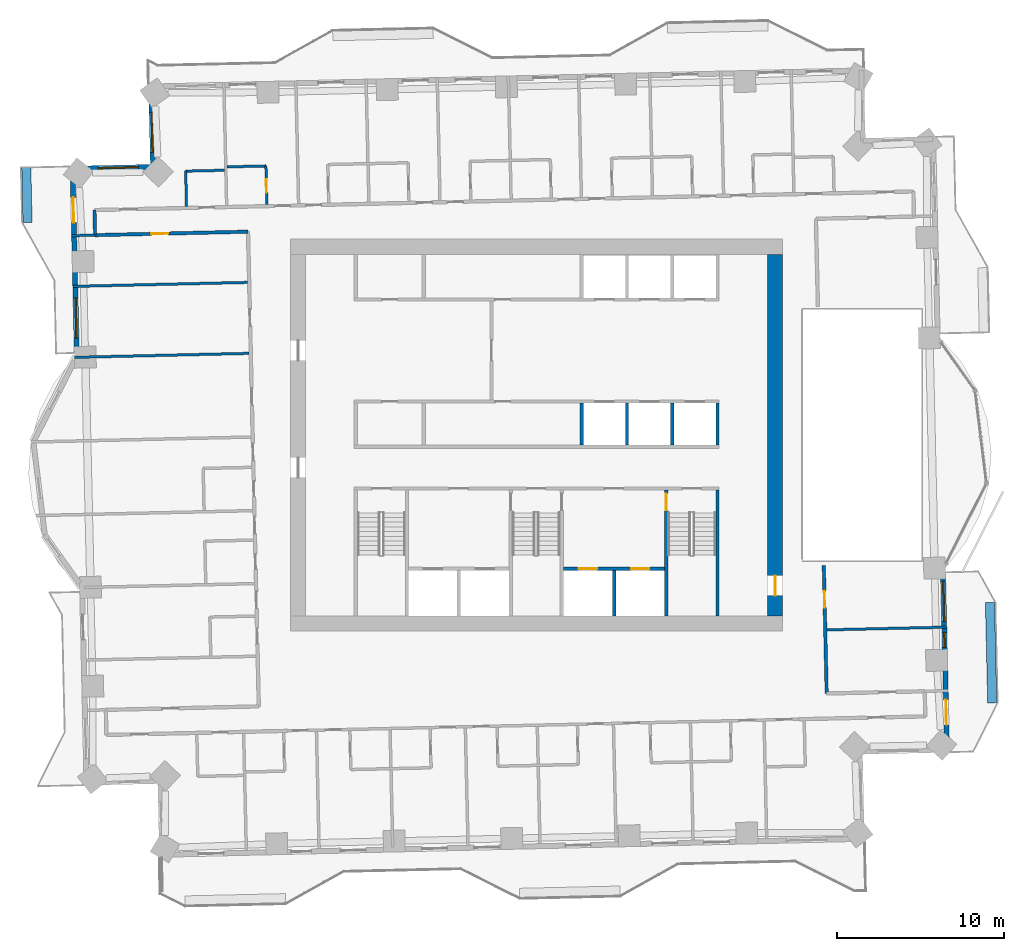
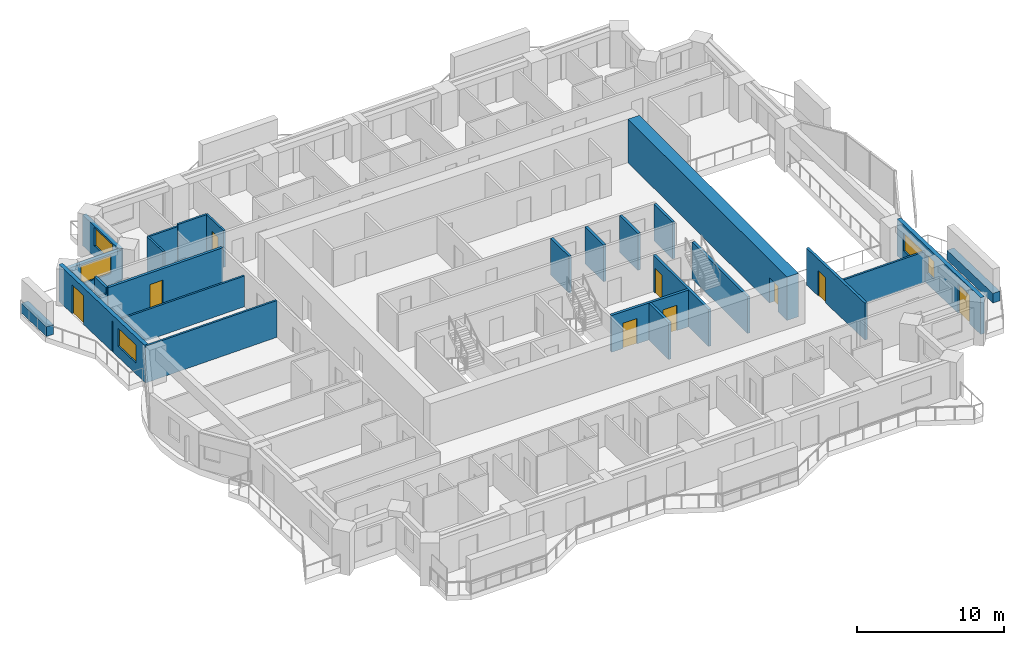
# One storey, part 9 of 16: 26 walls, 9 doors, 5 windows, 14 openings.
"""IFC4 building model written with IfcOpenShell, lengths in metres."""

from ifc_helpers import new_model, si_unit, direction, frame, frame_2d, origin, place, context, subcontext, project, spatial, rectangle, extrude, material, layer, layer_set, type_object, element, fill, save


model = new_model("IFC4")

# Units and contexts
model_context = context("Model", 3, precision=1e-05, world=origin(), true_north=direction((0.0, 1.0)))
body_context = subcontext(model_context, "Body", "Model", "MODEL_VIEW")
ifc_project = project(units=[si_unit("LENGTHUNIT", "METRE"), si_unit("AREAUNIT", "SQUARE_METRE"), si_unit("VOLUMEUNIT", "CUBIC_METRE"), si_unit("PLANEANGLEUNIT", "RADIAN"), si_unit("MASSUNIT", "GRAM", prefix="KILO")], contexts=[model_context])

# Site, building, storey
site_placement = place(None, origin())
site = spatial("IfcSite", under=ifc_project, at=site_placement, CompositionType="ELEMENT")
building_placement = place(site_placement, origin())
building = spatial("IfcBuilding", under=site, at=building_placement, Name="Mangrove Gate Tower", CompositionType="ELEMENT")
storey_placement = place(building_placement, frame((0.0, 0.0, 144.5)))
storey = spatial("IfcBuildingStorey", under=building, at=storey_placement, Name="L36", CompositionType="ELEMENT", Elevation=144.5)

# Wall, openings, doors
ifc_material_1 = material(Name="Concrete C70/85", Category="concrete")
ifc_layer_1 = layer(ifc_material_1, 0.199951171875)
ifc_layer_set_1 = layer_set([ifc_layer_1], Name="Core shaft wall 200 C70/85")
wall_type_1 = type_object("IfcWallType", Name="Core shaft wall 200 C70/85", PredefinedType="SHEAR", material=ifc_layer_set_1)
wall_1_placement = place(storey_placement, frame((1.60009765625, -8.0, 0.0), z_axis=(0.0, 0.0, 1.0), x_axis=(1.0, 0.0, 0.0)))
wall_1 = element("IfcWall", 1, at=wall_1_placement, inside=storey, type_object=wall_type_1, Name="WALL-L36-CORE-17", PredefinedType="SHEAR", context=body_context, shape_type="SweptSolid", body=[
    extrude(rectangle(XDim=6.0498046875, YDim=0.199951171875, at=frame_2d((3.02490234375, 0.0))), origin(), (0.0, 0.0, 1.0), 3.050048828125),
])
opening_1_placement = place(wall_1_placement, frame((0.91259765625, 0.0, 0.0)))
opening_1 = element("IfcOpeningElement", 2, at=opening_1_placement, cuts=wall_1, Name="Opening LD", PredefinedType="OPENING", context=body_context, shape_type="SweptSolid", body=[
    extrude(rectangle(XDim=1.10009765625, YDim=2.10009765625, at=frame_2d((0.550048828125, 1.050048828125))), frame((0.0, 0.10986328125, 0.0), z_axis=(0.0, -1.0, 0.0), x_axis=(1.0, 0.0, 0.0)), (0.0, 0.0, 1.0), 0.219970703125),
])
opening_2_placement = place(wall_1_placement, frame((4.03759765625, 0.0, 0.0)))
opening_2 = element("IfcOpeningElement", 3, at=opening_2_placement, cuts=wall_1, Name="Opening LD", PredefinedType="OPENING", context=body_context, shape_type="SweptSolid", body=[
    extrude(rectangle(XDim=1.10009765625, YDim=2.10009765625, at=frame_2d((0.550048828125, 1.050048828125))), frame((0.0, 0.10986328125, 0.0), z_axis=(0.0, -1.0, 0.0), x_axis=(1.0, 0.0, 0.0)), (0.0, 0.0, 1.0), 0.219970703125),
])
ifc_material_2 = material(Name="Stainless steel 316", Category="steel")
door_type_1 = type_object("IfcDoorType", Name="Lift landing door 1100x2100", OperationType="SLIDING_TO_LEFT", PredefinedType="DOOR", material=ifc_material_2)
door_1_placement = place(opening_1_placement, origin())
door_1 = element("IfcDoor", 4, at=door_1_placement, inside=storey, type_object=door_type_1, Name="Landing door LD FFL1", OperationType="SLIDING_TO_LEFT", OverallHeight=2.10009765625, OverallWidth=1.10009765625, PredefinedType="DOOR", context=body_context, shape_type="SweptSolid", body=[
    extrude(rectangle(XDim=1.10009765625, YDim=2.10009765625, at=frame_2d((0.550048828125, 1.050048828125))), frame((0.0, 0.02490234375, 0.0), z_axis=(0.0, -1.0, 0.0), x_axis=(1.0, 0.0, 0.0)), (0.0, 0.0, 1.0), 0.050048828125),
])
fill(opening_1, door_1)
door_2_placement = place(opening_2_placement, origin())
door_2 = element("IfcDoor", 5, at=door_2_placement, inside=storey, type_object=door_type_1, Name="Landing door LD FFL2", OperationType="SLIDING_TO_LEFT", OverallHeight=2.10009765625, OverallWidth=1.10009765625, PredefinedType="DOOR", context=body_context, shape_type="SweptSolid", body=[
    extrude(rectangle(XDim=1.10009765625, YDim=2.10009765625, at=frame_2d((0.550048828125, 1.050048828125))), frame((0.0, 0.02490234375, 0.0), z_axis=(0.0, -1.0, 0.0), x_axis=(1.0, 0.0, 0.0)), (0.0, 0.0, 1.0), 0.050048828125),
])
fill(opening_2, door_2)

# Walls
wall_2_placement = place(storey_placement, frame((4.625, -10.800048828125, 0.0), z_axis=(0.0, 0.0, 1.0), x_axis=(0.0, 1.0, 0.0)))
element("IfcWall", 6, at=wall_2_placement, inside=storey, type_object=wall_type_1, Name="WALL-L36-CORE-18", PredefinedType="SHEAR", context=body_context, shape_type="SweptSolid", body=[
    extrude(rectangle(XDim=2.699951171875, YDim=0.199951171875, at=frame_2d((1.35009765625, 0.0))), origin(), (0.0, 0.0, 1.0), 3.050048828125),
])
for number, where, z_axis, x_axis, name in (
    (7, (2.699951171875, -0.60009765625, 0.0), (0.0, 0.0, 1.0), (0.0, 1.0, 0.0), "WALL-L36-CORE-21"),
    (8, (5.39990234375, -0.60009765625, 0.0), (0.0, 0.0, 1.0), (0.0, 1.0, 0.0), "WALL-L36-CORE-22"),
    (9, (8.10009765625, -0.60009765625, 0.0), (0.0, 0.0, 1.0), (0.0, 1.0, 0.0), "WALL-L36-CORE-23"),
    (10, (10.800048828125, -0.60009765625, 0.0), (0.0, 0.0, 1.0), (0.0, 1.0, 0.0), "WALL-L36-CORE-24"),
):
    element("IfcWall", number, at=place(storey_placement, frame(where, z_axis=z_axis, x_axis=x_axis)), inside=storey, type_object=wall_type_1, Name=name, PredefinedType="SHEAR", context=body_context, shape_type="SweptSolid", body=[
        extrude(rectangle(XDim=2.5, YDim=0.199951171875, at=frame_2d((1.25, 0.0))), origin(), (0.0, 0.0, 1.0), 3.050048828125),
    ])

# Wall, opening, door
ifc_material_3 = material(Name="Concrete C70/85", Category="concrete")
ifc_layer_2 = layer(ifc_material_3, 0.199951171875)
ifc_layer_set_2 = layer_set([ifc_layer_2], Name="Core stair wall 200 C70/85")
wall_type_2 = type_object("IfcWallType", Name="Core stair wall 200 C70/85", PredefinedType="SHEAR", material=ifc_layer_set_2)
wall_3_placement = place(storey_placement, frame((7.75, -10.800048828125, 0.0), z_axis=(0.0, 0.0, 1.0), x_axis=(0.0, 1.0, 0.0)))
wall_3 = element("IfcWall", 11, at=wall_3_placement, inside=storey, type_object=wall_type_2, Name="WALL-L36-CORE-13", PredefinedType="SHEAR", context=body_context, shape_type="SweptSolid", body=[
    extrude(rectangle(XDim=7.5, YDim=0.199951171875, at=frame_2d((3.75, 0.0))), origin(), (0.0, 0.0, 1.0), 3.050048828125),
])
opening_3_placement = place(wall_3_placement, frame((6.300048828125, 0.0, 0.0)))
opening_3 = element("IfcOpeningElement", 12, at=opening_3_placement, cuts=wall_3, Name="Opening STD10", PredefinedType="OPENING", context=body_context, shape_type="SweptSolid", body=[
    extrude(rectangle(XDim=1.0, YDim=2.10009765625, at=frame_2d((0.5, 1.050048828125))), frame((0.0, 0.10986328125, 0.0), z_axis=(0.0, -1.0, 0.0), x_axis=(1.0, 0.0, 0.0)), (0.0, 0.0, 1.0), 0.219970703125),
])
ifc_material_4 = material(Name="Fire-rated steel door set", Category="steel")
door_type_2 = type_object("IfcDoorType", Name="Stair door FD60 1000x2100", OperationType="SINGLE_SWING_RIGHT", PredefinedType="DOOR", material=ifc_material_4)
door_3_placement = place(opening_3_placement, origin())
door_3 = element("IfcDoor", 13, at=door_3_placement, inside=storey, type_object=door_type_2, Name="Stair door Stair 3 from fire-fighting lobby", OperationType="SINGLE_SWING_RIGHT", OverallHeight=2.10009765625, OverallWidth=1.0, PredefinedType="DOOR", context=body_context, shape_type="SweptSolid", body=[
    extrude(rectangle(XDim=1.0, YDim=2.10009765625, at=frame_2d((0.5, 1.050048828125))), frame((0.0, 0.02490234375, 0.0), z_axis=(0.0, -1.0, 0.0), x_axis=(1.0, 0.0, 0.0)), (0.0, 0.0, 1.0), 0.050048828125),
])
fill(opening_3, door_3)

# Wall
wall_4_placement = place(storey_placement, frame((10.800048828125, -10.800048828125, 0.0), z_axis=(0.0, 0.0, 1.0), x_axis=(0.0, 1.0, 0.0)))
element("IfcWall", 14, at=wall_4_placement, inside=storey, type_object=wall_type_2, Name="WALL-L36-CORE-14", PredefinedType="SHEAR", context=body_context, shape_type="SweptSolid", body=[
    extrude(rectangle(XDim=7.5, YDim=0.199951171875, at=frame_2d((3.75, 0.0))), origin(), (0.0, 0.0, 1.0), 3.050048828125),
])

# Wall, opening, door
ifc_material_5 = material(Name="Concrete C70/85", Category="concrete")
ifc_layer_3 = layer(ifc_material_5, 0.89990234375)
ifc_layer_set_3 = layer_set([ifc_layer_3], Name="Core wall 900 C70/85")
wall_type_3 = type_object("IfcWallType", Name="Core wall 900 C70/85", PredefinedType="SHEAR", material=ifc_layer_set_3)
wall_5_placement = place(storey_placement, frame((14.25, -10.800048828125, 0.0), z_axis=(0.0, 0.0, 1.0), x_axis=(0.0, 1.0, 0.0)))
wall_5 = element("IfcWall", 15, at=wall_5_placement, inside=storey, type_object=wall_type_3, Name="WALL-L36-CORE-4", PredefinedType="SHEAR", context=body_context, shape_type="SweptSolid", body=[
    extrude(rectangle(XDim=21.60009765625, YDim=0.89990234375, at=frame_2d((10.800048828125, 0.0))), origin(), (0.0, 0.0, 1.0), 3.60009765625),
])
opening_4_placement = place(wall_5_placement, frame((1.199951171875, 0.0, 0.0)))
opening_4 = element("IfcOpeningElement", 16, at=opening_4_placement, cuts=wall_5, Name="Opening CD", PredefinedType="OPENING", context=body_context, shape_type="SweptSolid", body=[
    extrude(rectangle(XDim=1.199951171875, YDim=2.10009765625, at=frame_2d((0.60009765625, 1.050048828125))), frame((0.0, 0.4599609375, 0.0), z_axis=(0.0, -1.0, 0.0), x_axis=(1.0, 0.0, 0.0)), (0.0, 0.0, 1.0), 0.919921875),
])
ifc_material_6 = material(Name="Fire-rated steel door set", Category="steel")
door_type_3 = type_object("IfcDoorType", Name="Core ring door FD60 1200x2100", OperationType="DOUBLE_DOOR_SINGLE_SWING", PredefinedType="DOOR", material=ifc_material_6)
door_4_placement = place(opening_4_placement, origin())
door_4 = element("IfcDoor", 17, at=door_4_placement, inside=storey, type_object=door_type_3, Name="Core ring door E1", OperationType="DOUBLE_DOOR_SINGLE_SWING", OverallHeight=2.10009765625, OverallWidth=1.199951171875, PredefinedType="DOOR", context=body_context, shape_type="SweptSolid", body=[
    extrude(rectangle(XDim=1.199951171875, YDim=2.10009765625, at=frame_2d((0.60009765625, 1.050048828125))), frame((0.0, 0.02490234375, 0.0), z_axis=(0.0, -1.0, 0.0), x_axis=(1.0, 0.0, 0.0)), (0.0, 0.0, 1.0), 0.050048828125),
])
fill(opening_4, door_4)

ifc_material_7 = material(Name="Gypsum board on steel stud, EI 60", Category="steel")
ifc_layer_4 = layer(ifc_material_7, 0.199951171875)
ifc_layer_set_4 = layer_set([ifc_layer_4], Name="Corridor wall EI 60")
wall_type_4 = type_object("IfcWallType", Name="Corridor wall EI 60", PredefinedType="PARTITIONING", material=ifc_layer_set_4)
wall_6_placement = place(storey_placement, frame((17.327880859375, -15.447998046875, 0.0), z_axis=(0.0, 0.0, 1.0), x_axis=(-0.022680883318, 0.999742755679, 0.0)))
wall_6 = element("IfcWall", 18, at=wall_6_placement, inside=storey, type_object=wall_type_4, Name="WALL-L36-030", PredefinedType="PARTITIONING", context=body_context, shape_type="SweptSolid", body=[
    extrude(rectangle(XDim=7.6640625, YDim=0.199951171875, at=frame_2d((3.83203125, 0.0))), origin(), (0.0, 0.0, 1.0), 3.050048828125),
])
opening_5_placement = place(wall_6_placement, frame((5.1298828125, 0.0, 0.0)))
opening_5 = element("IfcOpeningElement", 19, at=opening_5_placement, cuts=wall_6, Name="Opening AD", PredefinedType="OPENING", context=body_context, shape_type="SweptSolid", body=[
    extrude(rectangle(XDim=1.0, YDim=2.10009765625, at=frame_2d((0.5, 1.050048828125))), frame((0.0, 0.10986328125, 0.0), z_axis=(0.0, -1.0, 0.0), x_axis=(1.0, 0.0, 0.0)), (0.0, 0.0, 1.0), 0.219970703125),
])
ifc_material_8 = material(Name="Timber door leaf", Category="wood")
door_type_4 = type_object("IfcDoorType", Name="Amenity door 1000", OperationType="SINGLE_SWING_LEFT", PredefinedType="DOOR", material=ifc_material_8)
door_5_placement = place(opening_5_placement, origin())
door_5 = element("IfcDoor", 20, at=door_5_placement, inside=storey, type_object=door_type_4, Name="DOOR-L36-KIT-c3b", OperationType="SINGLE_SWING_RIGHT", OverallHeight=2.10009765625, OverallWidth=1.0, PredefinedType="DOOR", context=body_context, shape_type="SweptSolid", body=[
    extrude(rectangle(XDim=1.0, YDim=2.10009765625, at=frame_2d((0.5, 1.050048828125))), frame((0.0, 0.02490234375, 0.0), z_axis=(0.0, -1.0, 0.0), x_axis=(1.0, 0.0, 0.0)), (0.0, 0.0, 1.0), 0.050048828125),
])
fill(opening_5, door_5)

wall_7_placement = place(storey_placement, frame((-26.386962890625, 11.94091796875, 0.0), z_axis=(0.0, 0.0, 1.0), x_axis=(0.999741076645, 0.022754772455, 0.0)))
wall_7 = element("IfcWall", 21, at=wall_7_placement, inside=storey, type_object=wall_type_4, Name="WALL-L36-050", PredefinedType="PARTITIONING", context=body_context, shape_type="SweptSolid", body=[
    extrude(rectangle(XDim=9.141357421875, YDim=0.199951171875, at=frame_2d((4.57080078125, 0.0))), origin(), (0.0, 0.0, 1.0), 3.050048828125),
])
opening_6_placement = place(wall_7_placement, frame((3.37109375, 0.0, 0.0)))
opening_6 = element("IfcOpeningElement", 22, at=opening_6_placement, cuts=wall_7, Name="Opening AD", PredefinedType="OPENING", context=body_context, shape_type="SweptSolid", body=[
    extrude(rectangle(XDim=1.0, YDim=2.10009765625, at=frame_2d((0.5, 1.050048828125))), frame((0.0, 0.10986328125, 0.0), z_axis=(0.0, -1.0, 0.0), x_axis=(1.0, 0.0, 0.0)), (0.0, 0.0, 1.0), 0.219970703125),
])
door_6_placement = place(opening_6_placement, origin())
door_6 = element("IfcDoor", 23, at=door_6_placement, inside=storey, type_object=door_type_4, Name="DOOR-L36-STU-c5a", OperationType="SINGLE_SWING_RIGHT", OverallHeight=2.10009765625, OverallWidth=1.0, PredefinedType="DOOR", context=body_context, shape_type="SweptSolid", body=[
    extrude(rectangle(XDim=1.0, YDim=2.10009765625, at=frame_2d((0.5, 1.050048828125))), frame((0.0, 0.02490234375, 0.0), z_axis=(0.0, -1.0, 0.0), x_axis=(1.0, 0.0, 0.0)), (0.0, 0.0, 1.0), 0.050048828125),
])
fill(opening_6, door_6)

# Wall
wall_8_placement = place(storey_placement, frame((-26.385009765625, 11.94091796875, 0.0), z_axis=(0.0, 0.0, 1.0), x_axis=(-0.022617910375, 0.999744182344, 0.0)))
element("IfcWall", 24, at=wall_8_placement, inside=storey, type_object=wall_type_4, Name="WALL-L36-051", PredefinedType="PARTITIONING", context=body_context, shape_type="SweptSolid", body=[
    extrude(rectangle(XDim=1.50048828125, YDim=0.199951171875, at=frame_2d((0.750244140625, 0.0))), origin(), (0.0, 0.0, 1.0), 3.050048828125),
])

# Wall, openings, door, windows
ifc_material_9 = material(Name="Limestone", Category="masonry")
ifc_layer_5 = layer(ifc_material_9, 0.0400390625, Name="Limestone cladding")
ifc_material_10 = material(Name="Ventilated air gap")
ifc_layer_6 = layer(ifc_material_10, 0.0400390625, Name="Ventilated cavity")
ifc_material_11 = material(Name="Mineral wool insulation")
ifc_layer_7 = layer(ifc_material_11, 0.06005859375, Name="Insulation")
ifc_material_12 = material(Name="Breather membrane")
ifc_layer_8 = layer(ifc_material_12, 0.001953125, Name="Breather membrane")
ifc_material_13 = material(Name="Concrete C20/25 blockwork", Category="masonry")
ifc_layer_9 = layer(ifc_material_13, 0.14990234375, Name="Blockwork backing wall")
ifc_material_14 = material(Name="Gypsum plaster")
ifc_layer_10 = layer(ifc_material_14, 0.008056640625, Name="Internal plaster")
ifc_layer_set_5 = layer_set([ifc_layer_5, ifc_layer_6, ifc_layer_7, ifc_layer_8, ifc_layer_9, ifc_layer_10], Name="External wall 300 limestone cladding")
wall_type_5 = type_object("IfcWallType", Name="External wall 300 limestone cladding", PredefinedType="SOLIDWALL", material=ifc_layer_set_5)
wall_9_placement = place(storey_placement, frame((24.51806640625, -18.81201171875, 0.0), z_axis=(0.0, 0.0, 1.0), x_axis=(-0.02269451316, 0.999742446369, 0.0)))
wall_9 = element("IfcWall", 25, at=wall_9_placement, inside=storey, type_object=wall_type_5, Name="WALL-L36-E0", PredefinedType="SOLIDWALL", context=body_context, shape_type="SweptSolid", body=[
    extrude(rectangle(XDim=10.929931640625, YDim=0.300048828125, at=frame_2d((5.46484375, 0.0))), origin(), (0.0, 0.0, 1.0), 3.050048828125),
])
opening_7_placement = place(wall_9_placement, frame((1.49609375, 0.0, 0.0)))
opening_7 = element("IfcOpeningElement", 26, at=opening_7_placement, cuts=wall_9, Name="Opening BD1", PredefinedType="OPENING", context=body_context, shape_type="SweptSolid", body=[
    extrude(rectangle(XDim=1.5, YDim=2.39990234375, at=frame_2d((0.75, 1.199951171875))), frame((0.0, 0.159912109375, 0.0), z_axis=(0.0, -1.0, 0.0), x_axis=(1.0, 0.0, 0.0)), (0.0, 0.0, 1.0), 0.320068359375),
])
opening_8_placement = place(wall_9_placement, frame((6.118896484375, 0.0, 0.89990234375)))
opening_8 = element("IfcOpeningElement", 27, at=opening_8_placement, cuts=wall_9, Name="Opening W5", PredefinedType="OPENING", context=body_context, shape_type="SweptSolid", body=[
    extrude(rectangle(XDim=0.89990234375, YDim=1.5, at=frame_2d((0.449951171875, 0.75))), frame((0.0, 0.159912109375, 0.0), z_axis=(0.0, -1.0, 0.0), x_axis=(1.0, 0.0, 0.0)), (0.0, 0.0, 1.0), 0.320068359375),
])
opening_9_placement = place(wall_9_placement, frame((7.675048828125, 0.0, 0.89990234375)))
opening_9 = element("IfcOpeningElement", 28, at=opening_9_placement, cuts=wall_9, Name="Opening W2", PredefinedType="OPENING", context=body_context, shape_type="SweptSolid", body=[
    extrude(rectangle(XDim=2.39990234375, YDim=1.5, at=frame_2d((1.199951171875, 0.75))), frame((0.0, 0.159912109375, 0.0), z_axis=(0.0, -1.0, 0.0), x_axis=(1.0, 0.0, 0.0)), (0.0, 0.0, 1.0), 0.320068359375),
])
ifc_material_15 = material(Name="Aluminium frame with laminated clear glass", Category="aluminium")
door_type_5 = type_object("IfcDoorType", Name="Balcony sliding door 1500x2400", OperationType="SLIDING_TO_LEFT", PredefinedType="DOOR", material=ifc_material_15)
door_7_placement = place(opening_7_placement, origin())
door_7 = element("IfcDoor", 29, at=door_7_placement, inside=storey, type_object=door_type_5, Name="DOOR-L36-E0-1", OperationType="SLIDING_TO_LEFT", OverallHeight=2.39990234375, OverallWidth=1.5, PredefinedType="DOOR", context=body_context, shape_type="SweptSolid", body=[
    extrude(rectangle(XDim=1.5, YDim=2.39990234375, at=frame_2d((0.75, 1.199951171875))), frame((0.0, 0.02490234375, 0.0), z_axis=(0.0, -1.0, 0.0), x_axis=(1.0, 0.0, 0.0)), (0.0, 0.0, 1.0), 0.050048828125),
])
fill(opening_7, door_7)
ifc_material_16 = material(Name="Aluminium frame with double-glazed low-e glass", Category="aluminium")
window_type_1 = type_object("IfcWindowType", Name="Corner room window 2400x1500", PartitioningType="DOUBLE_PANEL_VERTICAL", PredefinedType="WINDOW", material=ifc_material_16)
window_1_placement = place(opening_9_placement, origin())
window_1 = element("IfcWindow", 30, at=window_1_placement, inside=storey, type_object=window_type_1, Name="WIN-L36-E0-3", OverallHeight=1.5, OverallWidth=2.39990234375, PartitioningType="DOUBLE_PANEL_VERTICAL", PredefinedType="WINDOW", context=body_context, shape_type="SweptSolid", body=[
    extrude(rectangle(XDim=2.39990234375, YDim=1.5, at=frame_2d((1.199951171875, 0.75))), frame((0.0, 0.030029296875, 0.0), z_axis=(0.0, -1.0, 0.0), x_axis=(1.0, 0.0, 0.0)), (0.0, 0.0, 1.0), 0.06005859375),
])
fill(opening_9, window_1)
ifc_material_17 = material(Name="Aluminium frame with double-glazed low-e glass", Category="aluminium")
window_type_2 = type_object("IfcWindowType", Name="Narrow window 900x1500", PartitioningType="SINGLE_PANEL", PredefinedType="WINDOW", material=ifc_material_17)
window_2_placement = place(opening_8_placement, origin())
window_2 = element("IfcWindow", 31, at=window_2_placement, inside=storey, type_object=window_type_2, Name="WIN-L36-E0-2", OverallHeight=1.5, OverallWidth=0.89990234375, PartitioningType="SINGLE_PANEL", PredefinedType="WINDOW", context=body_context, shape_type="SweptSolid", body=[
    extrude(rectangle(XDim=0.89990234375, YDim=1.5, at=frame_2d((0.449951171875, 0.75))), frame((0.0, 0.030029296875, 0.0), z_axis=(0.0, -1.0, 0.0), x_axis=(1.0, 0.0, 0.0)), (0.0, 0.0, 1.0), 0.06005859375),
])
fill(opening_8, window_2)

# Wall, opening, window
wall_10_placement = place(storey_placement, frame((-23.037109375, 20.819091796875, 0.0), z_axis=(0.0, 0.0, 1.0), x_axis=(0.022738738327, -0.999741441463, 0.0)))
wall_10 = element("IfcWall", 32, at=wall_10_placement, inside=storey, type_object=wall_type_5, Name="WALL-L36-W6", PredefinedType="SOLIDWALL", context=body_context, shape_type="SweptSolid", body=[
    extrude(rectangle(XDim=4.79931640625, YDim=0.300048828125, at=frame_2d((2.399658203125, 0.0))), origin(), (0.0, 0.0, 1.0), 2.550048828125),
])
opening_10_placement = place(wall_10_placement, frame((1.541015625, 0.0, 0.89990234375)))
opening_10 = element("IfcOpeningElement", 33, at=opening_10_placement, cuts=wall_10, Name="Opening W2", PredefinedType="OPENING", context=body_context, shape_type="SweptSolid", body=[
    extrude(rectangle(XDim=2.39990234375, YDim=1.5, at=frame_2d((1.199951171875, 0.75))), frame((0.0, 0.159912109375, 0.0), z_axis=(0.0, -1.0, 0.0), x_axis=(1.0, 0.0, 0.0)), (0.0, 0.0, 1.0), 0.320068359375),
])
window_3_placement = place(opening_10_placement, origin())
window_3 = element("IfcWindow", 34, at=window_3_placement, inside=storey, type_object=window_type_1, Name="WIN-L36-W6-1", OverallHeight=1.5, OverallWidth=2.39990234375, PartitioningType="DOUBLE_PANEL_VERTICAL", PredefinedType="WINDOW", context=body_context, shape_type="SweptSolid", body=[
    extrude(rectangle(XDim=2.39990234375, YDim=1.5, at=frame_2d((1.199951171875, 0.75))), frame((0.0, 0.030029296875, 0.0), z_axis=(0.0, -1.0, 0.0), x_axis=(1.0, 0.0, 0.0)), (0.0, 0.0, 1.0), 0.06005859375),
])
fill(opening_10, window_3)

wall_11_placement = place(storey_placement, frame((-22.927978515625, 16.02099609375, 0.0), z_axis=(0.0, 0.0, 1.0), x_axis=(-0.999742701292, -0.022683280499, 0.0)))
wall_11 = element("IfcWall", 35, at=wall_11_placement, inside=storey, type_object=wall_type_5, Name="WALL-L36-N7", PredefinedType="SOLIDWALL", context=body_context, shape_type="SweptSolid", body=[
    extrude(rectangle(XDim=4.80029296875, YDim=0.300048828125, at=frame_2d((2.400146484375, 0.0))), origin(), (0.0, 0.0, 1.0), 2.550048828125),
])
opening_11_placement = place(wall_11_placement, frame((0.873046875, 0.0, 0.89990234375)))
opening_11 = element("IfcOpeningElement", 36, at=opening_11_placement, cuts=wall_11, Name="Opening W2", PredefinedType="OPENING", context=body_context, shape_type="SweptSolid", body=[
    extrude(rectangle(XDim=2.39990234375, YDim=1.5, at=frame_2d((1.199951171875, 0.75))), frame((0.0, 0.159912109375, 0.0), z_axis=(0.0, -1.0, 0.0), x_axis=(1.0, 0.0, 0.0)), (0.0, 0.0, 1.0), 0.320068359375),
])
window_4_placement = place(opening_11_placement, origin())
window_4 = element("IfcWindow", 37, at=window_4_placement, inside=storey, type_object=window_type_1, Name="WIN-L36-N7-1", OverallHeight=1.5, OverallWidth=2.39990234375, PartitioningType="DOUBLE_PANEL_VERTICAL", PredefinedType="WINDOW", context=body_context, shape_type="SweptSolid", body=[
    extrude(rectangle(XDim=2.39990234375, YDim=1.5, at=frame_2d((1.199951171875, 0.75))), frame((0.0, 0.030029296875, 0.0), z_axis=(0.0, -1.0, 0.0), x_axis=(1.0, 0.0, 0.0)), (0.0, 0.0, 1.0), 0.06005859375),
])
fill(opening_11, window_4)

# Wall, openings, door, window
wall_12_placement = place(storey_placement, frame((-27.72705078125, 15.912109375, 0.0), z_axis=(0.0, 0.0, 1.0), x_axis=(0.022690078929, -0.999742547018, 0.0)))
wall_12 = element("IfcWall", 38, at=wall_12_placement, inside=storey, type_object=wall_type_5, Name="WALL-L36-W8", PredefinedType="SOLIDWALL", context=body_context, shape_type="SweptSolid", body=[
    extrude(rectangle(XDim=11.330078125, YDim=0.300048828125, at=frame_2d((5.6650390625, 0.0))), origin(), (0.0, 0.0, 1.0), 3.050048828125),
])
opening_12_placement = place(wall_12_placement, frame((1.717041015625, 0.0, 0.0)))
opening_12 = element("IfcOpeningElement", 39, at=opening_12_placement, cuts=wall_12, Name="Opening BD1", PredefinedType="OPENING", context=body_context, shape_type="SweptSolid", body=[
    extrude(rectangle(XDim=1.5, YDim=2.39990234375, at=frame_2d((0.75, 1.199951171875))), frame((0.0, 0.159912109375, 0.0), z_axis=(0.0, -1.0, 0.0), x_axis=(1.0, 0.0, 0.0)), (0.0, 0.0, 1.0), 0.320068359375),
])
opening_13_placement = place(wall_12_placement, frame((7.72509765625, 0.0, 0.89990234375)))
opening_13 = element("IfcOpeningElement", 40, at=opening_13_placement, cuts=wall_12, Name="Opening W2", PredefinedType="OPENING", context=body_context, shape_type="SweptSolid", body=[
    extrude(rectangle(XDim=2.39990234375, YDim=1.5, at=frame_2d((1.199951171875, 0.75))), frame((0.0, 0.159912109375, 0.0), z_axis=(0.0, -1.0, 0.0), x_axis=(1.0, 0.0, 0.0)), (0.0, 0.0, 1.0), 0.320068359375),
])
door_8_placement = place(opening_12_placement, origin())
door_8 = element("IfcDoor", 41, at=door_8_placement, inside=storey, type_object=door_type_5, Name="DOOR-L36-W8-1", OperationType="SLIDING_TO_LEFT", OverallHeight=2.39990234375, OverallWidth=1.5, PredefinedType="DOOR", context=body_context, shape_type="SweptSolid", body=[
    extrude(rectangle(XDim=1.5, YDim=2.39990234375, at=frame_2d((0.75, 1.199951171875))), frame((0.0, 0.02490234375, 0.0), z_axis=(0.0, -1.0, 0.0), x_axis=(1.0, 0.0, 0.0)), (0.0, 0.0, 1.0), 0.050048828125),
])
fill(opening_12, door_8)
window_5_placement = place(opening_13_placement, origin())
window_5 = element("IfcWindow", 42, at=window_5_placement, inside=storey, type_object=window_type_1, Name="WIN-L36-W8-2", OverallHeight=1.5, OverallWidth=2.39990234375, PartitioningType="DOUBLE_PANEL_VERTICAL", PredefinedType="WINDOW", context=body_context, shape_type="SweptSolid", body=[
    extrude(rectangle(XDim=2.39990234375, YDim=1.5, at=frame_2d((1.199951171875, 0.75))), frame((0.0, 0.030029296875, 0.0), z_axis=(0.0, -1.0, 0.0), x_axis=(1.0, 0.0, 0.0)), (0.0, 0.0, 1.0), 0.06005859375),
])
fill(opening_13, window_5)

# Walls
ifc_material_18 = material(Name="Gypsum board on steel stud, EI 60", Category="steel")
ifc_layer_11 = layer(ifc_material_18, 0.14990234375)
ifc_layer_set_6 = layer_set([ifc_layer_11], Name="Party wall 150 EI 60")
wall_type_6 = type_object("IfcWallType", Name="Party wall 150 EI 60", PredefinedType="PARTITIONING", material=ifc_layer_set_6)
wall_13_placement = place(storey_placement, frame((17.3369140625, -11.64306640625, 0.0), z_axis=(0.0, 0.0, 1.0), x_axis=(0.999741061159, 0.022755452803, 0.0)))
element("IfcWall", 43, at=wall_13_placement, inside=storey, type_object=wall_type_6, Name="WALL-L36-037", PredefinedType="PARTITIONING", context=body_context, shape_type="SweptSolid", body=[
    extrude(rectangle(XDim=7.1669921875, YDim=0.14990234375, at=frame_2d((3.58349609375, 0.0))), origin(), (0.0, 0.0, 1.0), 2.550048828125),
])
wall_14_placement = place(storey_placement, frame((-27.62109375, 4.64111328125, 0.0), z_axis=(0.0, 0.0, 1.0), x_axis=(0.999742728106, 0.022682098664, 0.0)))
element("IfcWall", 44, at=wall_14_placement, inside=storey, type_object=wall_type_6, Name="WALL-L36-046", PredefinedType="PARTITIONING", context=body_context, shape_type="SweptSolid", body=[
    extrude(rectangle(XDim=10.440673828125, YDim=0.14990234375, at=frame_2d((5.22021484375, 0.0))), origin(), (0.0, 0.0, 1.0), 3.050048828125),
])
wall_15_placement = place(storey_placement, frame((-27.718017578125, 8.8798828125, 0.0), z_axis=(0.0, 0.0, 1.0), x_axis=(0.999742245794, 0.022703347225, 0.0)))
element("IfcWall", 45, at=wall_15_placement, inside=storey, type_object=wall_type_6, Name="WALL-L36-048", PredefinedType="PARTITIONING", context=body_context, shape_type="SweptSolid", body=[
    extrude(rectangle(XDim=10.441650390625, YDim=0.14990234375, at=frame_2d((5.220703125, 0.0))), origin(), (0.0, 0.0, 1.0), 2.550048828125),
])
wall_16_placement = place(storey_placement, frame((-27.785888671875, 11.908935546875, 0.0), z_axis=(0.0, 0.0, 1.0), x_axis=(0.999740216184, 0.022792545827, 0.0)))
element("IfcWall", 46, at=wall_16_placement, inside=storey, type_object=wall_type_6, Name="WALL-L36-049", PredefinedType="PARTITIONING", context=body_context, shape_type="SweptSolid", body=[
    extrude(rectangle(XDim=1.403076171875, YDim=0.14990234375, at=frame_2d((0.70166015625, 0.0))), origin(), (0.0, 0.0, 1.0), 2.550048828125),
])
wall_17_placement = place(storey_placement, frame((-20.922119140625, 13.666015625, 0.0), z_axis=(0.0, 0.0, 1.0), x_axis=(-0.022792727877, 0.999740212033, 0.0)))
element("IfcWall", 47, at=wall_17_placement, inside=storey, type_object=wall_type_6, Name="WALL-L36-056", PredefinedType="PARTITIONING", context=body_context, shape_type="SweptSolid", body=[
    extrude(rectangle(XDim=2.099365234375, YDim=0.14990234375, at=frame_2d((1.0498046875, 0.0))), origin(), (0.0, 0.0, 1.0), 3.050048828125),
])

# Wall, opening, door
wall_18_placement = place(storey_placement, frame((-16.1240234375, 13.77392578125, 0.0), z_axis=(0.0, 0.0, 1.0), x_axis=(-0.022603288534, 0.999744513037, 0.0)))
wall_18 = element("IfcWall", 48, at=wall_18_placement, inside=storey, type_object=wall_type_6, Name="WALL-L36-058", PredefinedType="PARTITIONING", context=body_context, shape_type="SweptSolid", body=[
    extrude(rectangle(XDim=2.300537109375, YDim=0.14990234375, at=frame_2d((1.150390625, 0.0))), origin(), (0.0, 0.0, 1.0), 3.050048828125),
])
opening_14_placement = place(wall_18_placement, frame((0.699951171875, 0.0, 0.0)))
opening_14 = element("IfcOpeningElement", 49, at=opening_14_placement, cuts=wall_18, Name="Opening ED", PredefinedType="OPENING", context=body_context, shape_type="SweptSolid", body=[
    extrude(rectangle(XDim=0.800048828125, YDim=2.10009765625, at=frame_2d((0.39990234375, 1.050048828125))), frame((0.0, 0.0849609375, 0.0), z_axis=(0.0, -1.0, 0.0), x_axis=(1.0, 0.0, 0.0)), (0.0, 0.0, 1.0), 0.169921875),
])
ifc_material_19 = material(Name="Timber door leaf", Category="wood")
door_type_6 = type_object("IfcDoorType", Name="En-suite door 800", OperationType="SINGLE_SWING_LEFT", PredefinedType="DOOR", material=ifc_material_19)
door_9_placement = place(opening_14_placement, origin())
door_9 = element("IfcDoor", 50, at=door_9_placement, inside=storey, type_object=door_type_6, Name="DOOR-L36-ENS-c515", OperationType="SINGLE_SWING_LEFT", OverallHeight=2.10009765625, OverallWidth=0.800048828125, PredefinedType="DOOR", context=body_context, shape_type="SweptSolid", body=[
    extrude(rectangle(XDim=0.800048828125, YDim=2.10009765625, at=frame_2d((0.39990234375, 1.050048828125))), frame((0.0, 0.02490234375, 0.0), z_axis=(0.0, -1.0, 0.0), x_axis=(1.0, 0.0, 0.0)), (0.0, 0.0, 1.0), 0.050048828125),
])
fill(opening_14, door_9)

# Walls
for number, where, z_axis, x_axis, name in (
    (51, (-20.971923828125, 15.764892578125, 0.0), (0.0, 0.0, 1.0), (0.999737862264, 0.022895561926, 0.0), "WALL-L36-075"),
    (52, (-18.501953125, 16.02099609375, 0.0), (0.0, 0.0, 1.0), (0.999740260747, 0.02279059109, 0.0), "WALL-L36-077"),
):
    element("IfcWall", number, at=place(storey_placement, frame(where, z_axis=z_axis, x_axis=x_axis)), inside=storey, type_object=wall_type_6, Name=name, PredefinedType="PARTITIONING", context=body_context, shape_type="SweptSolid", body=[
        extrude(rectangle(XDim=2.324462890625, YDim=0.14990234375, at=frame_2d((1.162109375, 0.0))), origin(), (0.0, 0.0, 1.0), 3.050048828125),
    ])
ifc_material_20 = material(Name="Concrete C32/40", Category="concrete")
ifc_layer_12 = layer(ifc_material_20, 0.199951171875, Name="Planter trough wall")
ifc_material_21 = material(Name="Bituminous waterproofing membrane")
ifc_layer_13 = layer(ifc_material_21, 0.0048828125, Name="Waterproofing")
ifc_material_22 = material(Name="Drainage board and gravel")
ifc_layer_14 = layer(ifc_material_22, 0.044921875, Name="Drainage layer")
ifc_material_23 = material(Name="Planting soil")
ifc_layer_15 = layer(ifc_material_23, 0.300048828125, Name="Growing medium")
ifc_layer_set_7 = layer_set([ifc_layer_12, ifc_layer_13, ifc_layer_14, ifc_layer_15], Name="Planter wall 550 C32/40")
wall_type_7 = type_object("IfcWallType", Name="Planter wall 550 C32/40", PredefinedType="USERDEFINED", material=ifc_layer_set_7)
wall_19_placement = place(storey_placement, frame((27.219970703125, -16.0, 0.0), z_axis=(0.0, 0.0, 1.0), x_axis=(-0.022662255828, 0.999743178102, 0.0)))
element("IfcWall", 53, at=wall_19_placement, inside=storey, type_object=wall_type_7, Name="PLANTER L36 E0.1", ObjectType="PLANTER", PredefinedType="USERDEFINED", context=body_context, shape_type="SweptSolid", body=[
    extrude(rectangle(XDim=6.00048828125, YDim=0.550048828125, at=frame_2d((3.000244140625, 0.0))), origin(), (0.0, 0.0, 1.0), 0.800048828125),
])
wall_20_placement = place(storey_placement, frame((-30.419921875, 12.699951171875, 0.0), z_axis=(0.0, 0.0, 1.0), x_axis=(-0.02278694782, 0.999740343794, 0.0)))
element("IfcWall", 54, at=wall_20_placement, inside=storey, type_object=wall_type_7, Name="PLANTER L36 W0.1", ObjectType="PLANTER", PredefinedType="USERDEFINED", context=body_context, shape_type="SweptSolid", body=[
    extrude(rectangle(XDim=3.300048828125, YDim=0.550048828125, at=frame_2d((1.64990234375, 0.0))), origin(), (0.0, 0.0, 1.0), 0.800048828125),
])

save(model, "model.ifc")
